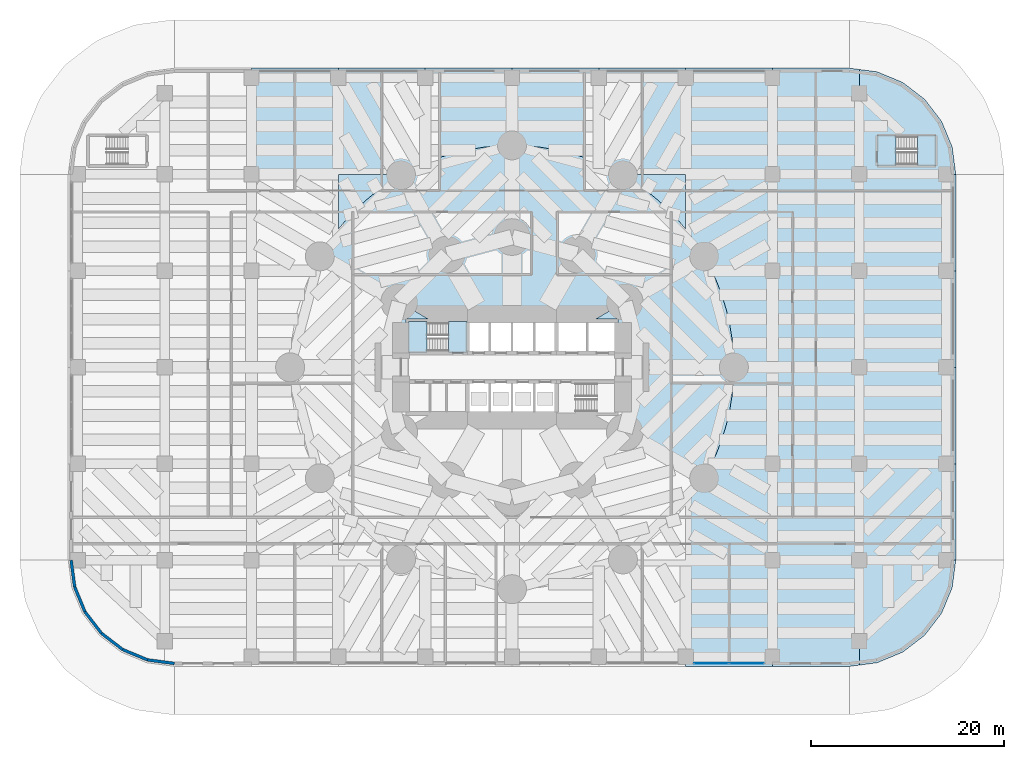
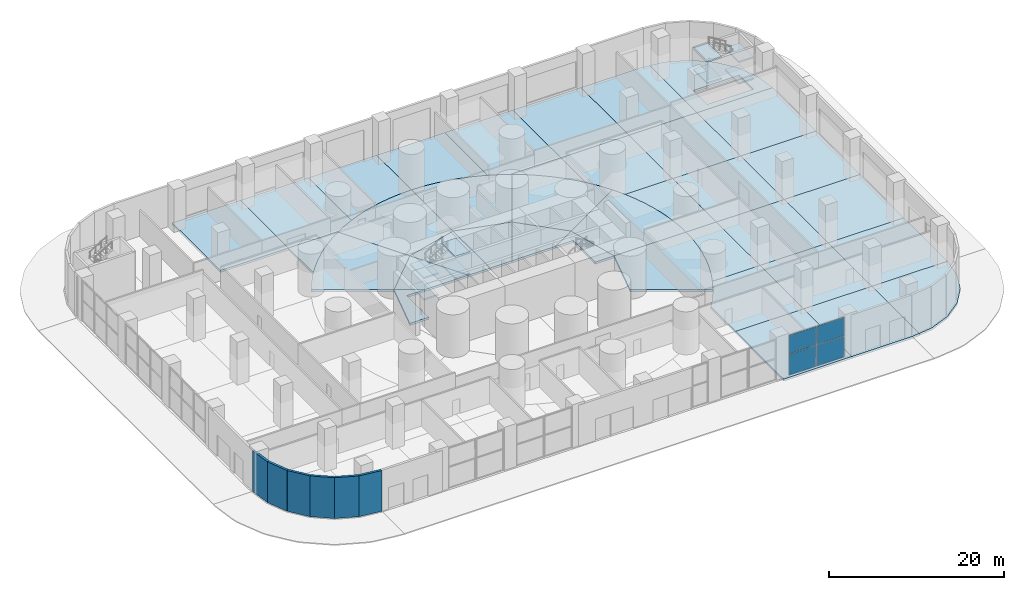
# One storey, part 11 of 20: 45 slabs, 6 walls, 4 plates, 4 elements without a shape of their own.
"""IFC4 building model written with IfcOpenShell, lengths in metres."""

from ifc_helpers import new_model, si_unit, direction, frame, frame_2d, origin, origin_2d, place, context, subcontext, project, spatial, polyline, rectangle, outline, extrude, material, layer, layer_set, type_object, element, aggregate, save


model = new_model("IFC4")

# Units and contexts
model_context = context("Model", 3, precision=1e-05, world=origin(), true_north=direction((0.0, 1.0)))
body_context = subcontext(model_context, "Body", "Model", "MODEL_VIEW")
ifc_project = project(units=[si_unit("LENGTHUNIT", "METRE"), si_unit("AREAUNIT", "SQUARE_METRE"), si_unit("VOLUMEUNIT", "CUBIC_METRE"), si_unit("PLANEANGLEUNIT", "RADIAN"), si_unit("MASSUNIT", "GRAM", prefix="KILO")], contexts=[model_context])

# Site, building, storey
site_placement = place(None, origin())
site = spatial("IfcSite", under=ifc_project, at=site_placement, CompositionType="ELEMENT")
building_placement = place(site_placement, origin())
building = spatial("IfcBuilding", under=site, at=building_placement, Name="Qaws Media Tower", CompositionType="ELEMENT")
storey_placement = place(building_placement, origin())
storey = spatial("IfcBuildingStorey", under=building, at=storey_placement, Name="L00", CompositionType="ELEMENT", Elevation=0.0)

# Curtain wall, plates
ifc_material_1 = material(Name="Aluminium and clear glass", Category="aluminium")
curtain_wall_type = type_object("IfcCurtainWallType", Name="Podium shopfront CW-P", PredefinedType="NOTDEFINED", material=ifc_material_1)
curtain_wall_1_placement = place(storey_placement, origin())
curtain_wall_1 = element("IfcCurtainWall", 1, at=curtain_wall_1_placement, inside=storey, type_object=curtain_wall_type, Name="CWP shopfront L00 S10", PredefinedType="NOTDEFINED")
ifc_material_2 = material(Name="Clear laminated double glazing", Category="glass")
ifc_layer_1 = layer(ifc_material_2, 0.031982421875)
ifc_layer_set_1 = layer_set([ifc_layer_1], Name="Curtain wall glass unit 32")
plate_type = type_object("IfcPlateType", Name="Curtain wall glass unit 32", PredefinedType="CURTAIN_PANEL", material=ifc_layer_set_1)
plate_1_placement = place(storey_placement, frame((80.64990234375, 19.300048828125, 0.080078125), z_axis=(0.0, 0.0, 1.0), x_axis=(1.0, 0.0, 0.0)))
plate_1 = element("IfcPlate", 2, at=plate_1_placement, type_object=plate_type, Name="CWP panel 1.1", PredefinedType="CURTAIN_PANEL", context=body_context, shape_type="SweptSolid", body=[
    extrude(rectangle(XDim=3.5400390625, YDim=0.031982421875, at=origin_2d()), origin(), (0.0, 0.0, 1.0), 2.8798828125),
])
plate_2_placement = place(storey_placement, frame((80.64990234375, 19.300048828125, 3.0400390625), z_axis=(0.0, 0.0, 1.0), x_axis=(1.0, 0.0, 0.0)))
plate_2 = element("IfcPlate", 3, at=plate_2_placement, type_object=plate_type, Name="CWP panel 1.2", PredefinedType="CURTAIN_PANEL", context=body_context, shape_type="SweptSolid", body=[
    extrude(rectangle(XDim=3.5400390625, YDim=0.031982421875, at=origin_2d()), origin(), (0.0, 0.0, 1.0), 2.580078125),
])
aggregate(curtain_wall_1, [plate_1, plate_2])

curtain_wall_2_placement = place(storey_placement, origin())
curtain_wall_2 = element("IfcCurtainWall", 4, at=curtain_wall_2_placement, inside=storey, type_object=curtain_wall_type, Name="CWP shopfront L00 S11", PredefinedType="NOTDEFINED")
plate_3_placement = place(storey_placement, frame((84.35009765625, 19.300048828125, 0.080078125), z_axis=(0.0, 0.0, 1.0), x_axis=(1.0, 0.0, 0.0)))
plate_3 = element("IfcPlate", 5, at=plate_3_placement, type_object=plate_type, Name="CWP panel 1.1", PredefinedType="CURTAIN_PANEL", context=body_context, shape_type="SweptSolid", body=[
    extrude(rectangle(XDim=3.5400390625, YDim=0.031982421875, at=origin_2d()), origin(), (0.0, 0.0, 1.0), 2.8798828125),
])
plate_4_placement = place(storey_placement, frame((84.35009765625, 19.300048828125, 3.0400390625), z_axis=(0.0, 0.0, 1.0), x_axis=(1.0, 0.0, 0.0)))
plate_4 = element("IfcPlate", 6, at=plate_4_placement, type_object=plate_type, Name="CWP panel 1.2", PredefinedType="CURTAIN_PANEL", context=body_context, shape_type="SweptSolid", body=[
    extrude(rectangle(XDim=3.5400390625, YDim=0.031982421875, at=origin_2d()), origin(), (0.0, 0.0, 1.0), 2.580078125),
])
aggregate(curtain_wall_2, [plate_3, plate_4])

# Slabs
ifc_material_3 = material(Name="Concrete C40/50", Category="concrete")
ifc_layer_2 = layer(ifc_material_3, 0.300048828125)
ifc_layer_set_2 = layer_set([ifc_layer_2], Name="Podium slab 300")
slab_type_1 = type_object("IfcSlabType", Name="Podium slab 300", PredefinedType="FLOOR", material=ifc_layer_set_2)
slab_1_placement = place(storey_placement, frame((0.0, 0.0, -0.300048828125)))
element("IfcSlab", 7, at=slab_1_placement, inside=storey, type_object=slab_type_1, Name="S3 slab L00 bay 3-4/F-G", PredefinedType="FLOOR", context=body_context, shape_type="SweptSolid", body=[
    extrude(outline(polyline([(42.0, 81.0), (42.0, 70.0), (33.0, 70.0), (33.0, 81.0), (42.0, 81.0)])), origin(), (0.0, 0.0, 1.0), 0.300048828125),
])
slab_2_placement = place(storey_placement, frame((0.0, 0.0, -0.300048828125)))
element("IfcSlab", 8, at=slab_2_placement, inside=storey, type_object=slab_type_1, Name="S3 slab L00 bay 4-5/E-F", PredefinedType="FLOOR", context=body_context, shape_type="SweptSolid", body=[
    extrude(outline(polyline([(48.5, 69.918701171875), (47.221923828125, 69.123779296875), (45.99853515625, 68.2470703125), (44.8349609375, 67.292236328125), (43.736572265625, 66.263427734375), (42.707763671875, 65.1650390625), (42.0, 64.302490234375), (42.0, 70.0), (48.65234375, 70.0), (48.5, 69.918701171875)])), origin(), (0.0, 0.0, 1.0), 0.300048828125),
])
slab_3_placement = place(storey_placement, frame((0.0, 0.0, -0.300048828125)))
element("IfcSlab", 9, at=slab_3_placement, inside=storey, type_object=slab_type_1, Name="S3 slab L00 bay 4-5/F-G", PredefinedType="FLOOR", context=body_context, shape_type="SweptSolid", body=[
    extrude(outline(polyline([(51.0, 81.0), (51.0, 71.159423828125), (49.827392578125, 70.628173828125), (48.65234375, 70.0), (42.0, 70.0), (42.0, 81.0), (51.0, 81.0)])), origin(), (0.0, 0.0, 1.0), 0.300048828125),
])
slab_4_placement = place(storey_placement, frame((0.0, 0.0, -0.300048828125)))
element("IfcSlab", 10, at=slab_4_placement, inside=storey, type_object=slab_type_1, Name="S3 slab L00 bay 5-6/F-G", PredefinedType="FLOOR", context=body_context, shape_type="SweptSolid", body=[
    extrude(outline(polyline([(60.0, 81.0), (60.0, 73.0), (58.49560546875, 72.95068359375), (56.997802734375, 72.80322265625), (55.512939453125, 72.55810546875), (54.047119140625, 72.21630859375), (52.60693359375, 71.779296875), (51.1982421875, 71.249267578125), (51.0, 71.159423828125), (51.0, 81.0), (60.0, 81.0)])), origin(), (0.0, 0.0, 1.0), 0.300048828125),
])
slab_5_placement = place(storey_placement, frame((0.0, 0.0, -0.300048828125)))
element("IfcSlab", 11, at=slab_5_placement, inside=storey, type_object=slab_type_1, Name="S3 slab L00 bay 6-7/F-G", PredefinedType="FLOOR", context=body_context, shape_type="SweptSolid", body=[
    extrude(outline(polyline([(69.0, 81.0), (69.0, 71.159423828125), (68.8017578125, 71.249267578125), (67.39306640625, 71.779296875), (65.952880859375, 72.21630859375), (64.487060546875, 72.55810546875), (63.002197265625, 72.80322265625), (61.50439453125, 72.95068359375), (60.0, 73.0), (60.0, 81.0), (69.0, 81.0)])), origin(), (0.0, 0.0, 1.0), 0.300048828125),
])
slab_6_placement = place(storey_placement, frame((0.0, 0.0, -0.300048828125)))
element("IfcSlab", 12, at=slab_6_placement, inside=storey, type_object=slab_type_1, Name="S3 slab L00 bay 7-8/E-F", PredefinedType="FLOOR", context=body_context, shape_type="SweptSolid", body=[
    extrude(outline(polyline([(77.292236328125, 65.1650390625), (76.263427734375, 66.263427734375), (75.1650390625, 67.292236328125), (74.00146484375, 68.2470703125), (72.778076171875, 69.123779296875), (71.5, 69.918701171875), (71.34765625, 70.0), (78.0, 70.0), (78.0, 64.302490234375), (77.292236328125, 65.1650390625)])), origin(), (0.0, 0.0, 1.0), 0.300048828125),
])
slab_7_placement = place(storey_placement, frame((0.0, 0.0, -0.300048828125)))
element("IfcSlab", 13, at=slab_7_placement, inside=storey, type_object=slab_type_1, Name="S3 slab L00 bay 7-8/F-G", PredefinedType="FLOOR", context=body_context, shape_type="SweptSolid", body=[
    extrude(outline(polyline([(78.0, 81.0), (78.0, 70.0), (71.34765625, 70.0), (70.172607421875, 70.628173828125), (69.0, 71.159423828125), (69.0, 81.0), (78.0, 81.0)])), origin(), (0.0, 0.0, 1.0), 0.300048828125),
])
slab_8_placement = place(storey_placement, frame((0.0, 0.0, -0.300048828125)))
element("IfcSlab", 14, at=slab_8_placement, inside=storey, type_object=slab_type_1, Name="S3 slab L00 bay 8-9/A-B", PredefinedType="FLOOR", context=body_context, shape_type="SweptSolid", body=[
    extrude(outline(polyline([(78.0, 19.0), (78.0, 30.0), (87.0, 30.0), (87.0, 19.0), (78.0, 19.0)])), origin(), (0.0, 0.0, 1.0), 0.300048828125),
])
slab_9_placement = place(storey_placement, frame((0.0, 0.0, -0.300048828125)))
element("IfcSlab", 15, at=slab_9_placement, inside=storey, type_object=slab_type_1, Name="S3 slab L00 bay 8-9/B-C", PredefinedType="FLOOR", context=body_context, shape_type="SweptSolid", body=[
    extrude(outline(polyline([(78.2470703125, 35.99853515625), (79.123779296875, 37.221923828125), (79.918701171875, 38.5), (80.628173828125, 39.827392578125), (80.706298828125, 40.0), (87.0, 40.0), (87.0, 30.0), (78.0, 30.0), (78.0, 35.697509765625), (78.2470703125, 35.99853515625)])), origin(), (0.0, 0.0, 1.0), 0.300048828125),
])
slab_10_placement = place(storey_placement, frame((0.0, 0.0, -0.300048828125)))
element("IfcSlab", 16, at=slab_10_placement, inside=storey, type_object=slab_type_1, Name="S3 slab L00 bay 8-9/C-D", PredefinedType="FLOOR", context=body_context, shape_type="SweptSolid", body=[
    extrude(outline(polyline([(81.249267578125, 41.1982421875), (81.779296875, 42.60693359375), (82.21630859375, 44.047119140625), (82.55810546875, 45.512939453125), (82.80322265625, 46.997802734375), (82.95068359375, 48.49560546875), (83.0, 50.0), (87.0, 50.0), (87.0, 40.0), (80.706298828125, 40.0), (81.249267578125, 41.1982421875)])), origin(), (0.0, 0.0, 1.0), 0.300048828125),
])
slab_11_placement = place(storey_placement, frame((0.0, 0.0, -0.300048828125)))
element("IfcSlab", 17, at=slab_11_placement, inside=storey, type_object=slab_type_1, Name="S3 slab L00 bay 8-9/D-E", PredefinedType="FLOOR", context=body_context, shape_type="SweptSolid", body=[
    extrude(outline(polyline([(82.21630859375, 55.952880859375), (81.779296875, 57.39306640625), (81.249267578125, 58.8017578125), (80.706298828125, 60.0), (87.0, 60.0), (87.0, 50.0), (83.0, 50.0), (82.95068359375, 51.50439453125), (82.80322265625, 53.002197265625), (82.55810546875, 54.487060546875), (82.21630859375, 55.952880859375)])), origin(), (0.0, 0.0, 1.0), 0.300048828125),
])
slab_12_placement = place(storey_placement, frame((0.0, 0.0, -0.300048828125)))
element("IfcSlab", 18, at=slab_12_placement, inside=storey, type_object=slab_type_1, Name="S3 slab L00 bay 8-9/E-F", PredefinedType="FLOOR", context=body_context, shape_type="SweptSolid", body=[
    extrude(outline(polyline([(80.628173828125, 60.172607421875), (79.918701171875, 61.5), (79.123779296875, 62.778076171875), (78.2470703125, 64.00146484375), (78.0, 64.302490234375), (78.0, 70.0), (87.0, 70.0), (87.0, 60.0), (80.706298828125, 60.0), (80.628173828125, 60.172607421875)])), origin(), (0.0, 0.0, 1.0), 0.300048828125),
])
slab_13_placement = place(storey_placement, frame((0.0, 0.0, -0.300048828125)))
element("IfcSlab", 19, at=slab_13_placement, inside=storey, type_object=slab_type_1, Name="S3 slab L00 bay 8-9/F-G", PredefinedType="FLOOR", context=body_context, shape_type="SweptSolid", body=[
    extrude(outline(polyline([(87.0, 81.0), (87.0, 70.0), (78.0, 70.0), (78.0, 81.0), (87.0, 81.0)])), origin(), (0.0, 0.0, 1.0), 0.300048828125),
])
slab_14_placement = place(storey_placement, frame((0.0, 0.0, -0.300048828125)))
element("IfcSlab", 20, at=slab_14_placement, inside=storey, type_object=slab_type_1, Name="S3 slab L00 bay 9-10/A-B", PredefinedType="FLOOR", context=body_context, shape_type="SweptSolid", body=[
    extrude(outline(polyline([(95.0, 19.0), (87.0, 19.0), (87.0, 30.0), (96.0, 30.0), (96.0, 19.131591796875), (95.0, 19.0)])), origin(), (0.0, 0.0, 1.0), 0.300048828125),
])
slab_15_placement = place(storey_placement, frame((0.0, 0.0, -0.300048828125)))
element("IfcSlab", 21, at=slab_15_placement, inside=storey, type_object=slab_type_1, Name="S3 slab L00 bay 9-10/B-C", PredefinedType="FLOOR", context=body_context, shape_type="SweptSolid", body=[
    extrude(outline(polyline([(87.0, 30.0), (87.0, 40.0), (96.0, 40.0), (96.0, 30.0), (87.0, 30.0)])), origin(), (0.0, 0.0, 1.0), 0.300048828125),
])
slab_16_placement = place(storey_placement, frame((0.0, 0.0, -0.300048828125)))
element("IfcSlab", 22, at=slab_16_placement, inside=storey, type_object=slab_type_1, Name="S3 slab L00 bay 9-10/C-D", PredefinedType="FLOOR", context=body_context, shape_type="SweptSolid", body=[
    extrude(outline(polyline([(87.0, 40.0), (87.0, 50.0), (96.0, 50.0), (96.0, 40.0), (87.0, 40.0)])), origin(), (0.0, 0.0, 1.0), 0.300048828125),
])
slab_17_placement = place(storey_placement, frame((0.0, 0.0, -0.300048828125)))
element("IfcSlab", 23, at=slab_17_placement, inside=storey, type_object=slab_type_1, Name="S3 slab L00 bay 9-10/D-E", PredefinedType="FLOOR", context=body_context, shape_type="SweptSolid", body=[
    extrude(outline(polyline([(87.0, 50.0), (87.0, 60.0), (96.0, 60.0), (96.0, 50.0), (87.0, 50.0)])), origin(), (0.0, 0.0, 1.0), 0.300048828125),
])
slab_18_placement = place(storey_placement, frame((0.0, 0.0, -0.300048828125)))
element("IfcSlab", 24, at=slab_18_placement, inside=storey, type_object=slab_type_1, Name="S3 slab L00 bay 9-10/E-F", PredefinedType="FLOOR", context=body_context, shape_type="SweptSolid", body=[
    extrude(outline(polyline([(87.0, 60.0), (87.0, 70.0), (96.0, 70.0), (96.0, 60.0), (87.0, 60.0)])), origin(), (0.0, 0.0, 1.0), 0.300048828125),
])
slab_19_placement = place(storey_placement, frame((0.0, 0.0, -0.300048828125)))
element("IfcSlab", 25, at=slab_19_placement, inside=storey, type_object=slab_type_1, Name="S3 slab L00 bay 9-10/F-G", PredefinedType="FLOOR", context=body_context, shape_type="SweptSolid", body=[
    extrude(outline(polyline([(95.0, 81.0), (96.0, 80.868408203125), (96.0, 70.0), (87.0, 70.0), (87.0, 81.0), (95.0, 81.0)])), origin(), (0.0, 0.0, 1.0), 0.300048828125),
])
slab_20_placement = place(storey_placement, frame((0.0, 0.0, -0.300048828125)))
element("IfcSlab", 26, at=slab_20_placement, inside=storey, type_object=slab_type_1, Name="S3 slab L00 bay 10-11/A-B", PredefinedType="FLOOR", context=body_context, shape_type="SweptSolid", body=[
    extrude(outline(polyline([(105.625244140625, 27.153076171875), (104.5263671875, 24.5), (102.7783203125, 22.2216796875), (100.5, 20.4736328125), (97.846923828125, 19.374755859375), (96.0, 19.131591796875), (96.0, 30.0), (106.0, 30.0), (105.625244140625, 27.153076171875)])), origin(), (0.0, 0.0, 1.0), 0.300048828125),
])
slab_21_placement = place(storey_placement, frame((0.0, 0.0, -0.300048828125)))
element("IfcSlab", 27, at=slab_21_placement, inside=storey, type_object=slab_type_1, Name="S3 slab L00 bay 10-11/B-C", PredefinedType="FLOOR", context=body_context, shape_type="SweptSolid", body=[
    extrude(outline(polyline([(106.0, 30.0), (96.0, 30.0), (96.0, 40.0), (106.0, 40.0), (106.0, 30.0)])), origin(), (0.0, 0.0, 1.0), 0.300048828125),
])
slab_22_placement = place(storey_placement, frame((0.0, 0.0, -0.300048828125)))
element("IfcSlab", 28, at=slab_22_placement, inside=storey, type_object=slab_type_1, Name="S3 slab L00 bay 10-11/C-D", PredefinedType="FLOOR", context=body_context, shape_type="SweptSolid", body=[
    extrude(outline(polyline([(106.0, 40.0), (96.0, 40.0), (96.0, 50.0), (106.0, 50.0), (106.0, 40.0)])), origin(), (0.0, 0.0, 1.0), 0.300048828125),
])
slab_23_placement = place(storey_placement, frame((0.0, 0.0, -0.300048828125)))
element("IfcSlab", 29, at=slab_23_placement, inside=storey, type_object=slab_type_1, Name="S3 slab L00 bay 10-11/D-E", PredefinedType="FLOOR", context=body_context, shape_type="SweptSolid", body=[
    extrude(outline(polyline([(106.0, 50.0), (96.0, 50.0), (96.0, 60.0), (106.0, 60.0), (106.0, 50.0)])), origin(), (0.0, 0.0, 1.0), 0.300048828125),
])
slab_24_placement = place(storey_placement, frame((0.0, 0.0, -0.300048828125)))
element("IfcSlab", 30, at=slab_24_placement, inside=storey, type_object=slab_type_1, Name="S3 slab L00 bay 10-11/E-F", PredefinedType="FLOOR", context=body_context, shape_type="SweptSolid", body=[
    extrude(outline(polyline([(106.0, 60.0), (96.0, 60.0), (96.0, 70.0), (106.0, 70.0), (106.0, 60.0)])), origin(), (0.0, 0.0, 1.0), 0.300048828125),
])
slab_25_placement = place(storey_placement, frame((0.0, 0.0, -0.300048828125)))
element("IfcSlab", 31, at=slab_25_placement, inside=storey, type_object=slab_type_1, Name="S3 slab L00 bay 10-11/F-G", PredefinedType="FLOOR", context=body_context, shape_type="SweptSolid", body=[
    extrude(outline(polyline([(97.846923828125, 80.625244140625), (100.5, 79.5263671875), (102.7783203125, 77.7783203125), (104.5263671875, 75.5), (105.625244140625, 72.846923828125), (106.0, 70.0), (96.0, 70.0), (96.0, 80.868408203125), (97.846923828125, 80.625244140625)]), holes=[polyline([(97.85009765625, 74.050048828125), (97.85009765625, 70.85009765625), (103.949951171875, 70.85009765625), (103.949951171875, 74.050048828125), (97.85009765625, 74.050048828125)])]), origin(), (0.0, 0.0, 1.0), 0.300048828125),
])
slab_26_placement = place(storey_placement, frame((0.0, 0.0, -0.300048828125)))
element("IfcSlab", 32, at=slab_26_placement, inside=storey, type_object=slab_type_1, Name="S3 slab L00 tower sector R01-R03 outer", PredefinedType="FLOOR", context=body_context, shape_type="SweptSolid", body=[
    extrude(outline(polyline([(82.80322265625, 53.002197265625), (82.95068359375, 51.50439453125), (83.0, 50.0), (73.5, 50.0), (71.69140625, 56.75), (79.918701171875, 61.5), (80.628173828125, 60.172607421875), (81.249267578125, 58.8017578125), (81.779296875, 57.39306640625), (82.21630859375, 55.952880859375), (82.55810546875, 54.487060546875), (82.80322265625, 53.002197265625)])), origin(), (0.0, 0.0, 1.0), 0.300048828125),
])
slab_27_placement = place(storey_placement, frame((0.0, 0.0, -0.300048828125)))
element("IfcSlab", 33, at=slab_27_placement, inside=storey, type_object=slab_type_1, Name="S3 slab L00 tower sector R01-R03 inner", PredefinedType="FLOOR", context=body_context, shape_type="SweptSolid", body=[
    extrude(outline(polyline([(71.0, 50.0), (71.0, 55.0), (68.660400390625, 55.0), (71.69140625, 56.75), (73.5, 50.0), (71.0, 50.0)])), origin(), (0.0, 0.0, 1.0), 0.300048828125),
])
slab_28_placement = place(storey_placement, frame((0.0, 0.0, -0.300048828125)))
element("IfcSlab", 34, at=slab_28_placement, inside=storey, type_object=slab_type_1, Name="S3 slab L00 tower sector R03-R05 outer", PredefinedType="FLOOR", context=body_context, shape_type="SweptSolid", body=[
    extrude(outline(polyline([(78.2470703125, 64.00146484375), (79.123779296875, 62.778076171875), (79.918701171875, 61.5), (71.69140625, 56.75), (66.75, 61.69140625), (71.5, 69.918701171875), (72.778076171875, 69.123779296875), (74.00146484375, 68.2470703125), (75.1650390625, 67.292236328125), (76.263427734375, 66.263427734375), (77.292236328125, 65.1650390625), (78.2470703125, 64.00146484375)])), origin(), (0.0, 0.0, 1.0), 0.300048828125),
])
slab_29_placement = place(storey_placement, frame((0.0, 0.0, -0.300048828125)))
element("IfcSlab", 35, at=slab_29_placement, inside=storey, type_object=slab_type_1, Name="S3 slab L00 tower sector R03-R05 inner", PredefinedType="FLOOR", context=body_context, shape_type="SweptSolid", body=[
    extrude(outline(polyline([(68.660400390625, 55.0), (62.88671875, 55.0), (66.75, 61.69140625), (71.69140625, 56.75), (68.660400390625, 55.0)])), origin(), (0.0, 0.0, 1.0), 0.300048828125),
])
slab_30_placement = place(storey_placement, frame((0.0, 0.0, -0.300048828125)))
element("IfcSlab", 36, at=slab_30_placement, inside=storey, type_object=slab_type_1, Name="S3 slab L00 tower sector R05-R07 outer", PredefinedType="FLOOR", context=body_context, shape_type="SweptSolid", body=[
    extrude(outline(polyline([(68.8017578125, 71.249267578125), (70.172607421875, 70.628173828125), (71.5, 69.918701171875), (66.75, 61.69140625), (60.0, 63.5), (60.0, 73.0), (61.50439453125, 72.95068359375), (63.002197265625, 72.80322265625), (64.487060546875, 72.55810546875), (65.952880859375, 72.21630859375), (67.39306640625, 71.779296875), (68.8017578125, 71.249267578125)])), origin(), (0.0, 0.0, 1.0), 0.300048828125),
])
slab_31_placement = place(storey_placement, frame((0.0, 0.0, -0.300048828125)))
element("IfcSlab", 37, at=slab_31_placement, inside=storey, type_object=slab_type_1, Name="S3 slab L00 tower sector R05-R07 inner", PredefinedType="FLOOR", context=body_context, shape_type="SweptSolid", body=[
    extrude(outline(polyline([(62.88671875, 55.0), (60.0, 55.0), (60.0, 63.5), (66.75, 61.69140625), (62.88671875, 55.0)])), origin(), (0.0, 0.0, 1.0), 0.300048828125),
])
slab_32_placement = place(storey_placement, frame((0.0, 0.0, -0.300048828125)))
element("IfcSlab", 38, at=slab_32_placement, inside=storey, type_object=slab_type_1, Name="S3 slab L00 tower sector R07-R09 outer", PredefinedType="FLOOR", context=body_context, shape_type="SweptSolid", body=[
    extrude(outline(polyline([(56.997802734375, 72.80322265625), (58.49560546875, 72.95068359375), (60.0, 73.0), (60.0, 63.5), (53.25, 61.69140625), (48.5, 69.918701171875), (49.827392578125, 70.628173828125), (51.1982421875, 71.249267578125), (52.60693359375, 71.779296875), (54.047119140625, 72.21630859375), (55.512939453125, 72.55810546875), (56.997802734375, 72.80322265625)])), origin(), (0.0, 0.0, 1.0), 0.300048828125),
])
slab_33_placement = place(storey_placement, frame((0.0, 0.0, -0.300048828125)))
element("IfcSlab", 39, at=slab_33_placement, inside=storey, type_object=slab_type_1, Name="S3 slab L00 tower sector R07-R09 inner", PredefinedType="FLOOR", context=body_context, shape_type="SweptSolid", body=[
    extrude(outline(polyline([(60.0, 55.0), (57.11328125, 55.0), (53.25, 61.69140625), (60.0, 63.5), (60.0, 55.0)])), origin(), (0.0, 0.0, 1.0), 0.300048828125),
])
slab_34_placement = place(storey_placement, frame((0.0, 0.0, -0.300048828125)))
element("IfcSlab", 40, at=slab_34_placement, inside=storey, type_object=slab_type_1, Name="S3 slab L00 tower sector R09-R11 outer", PredefinedType="FLOOR", context=body_context, shape_type="SweptSolid", body=[
    extrude(outline(polyline([(45.99853515625, 68.2470703125), (47.221923828125, 69.123779296875), (48.5, 69.918701171875), (53.25, 61.69140625), (48.30859375, 56.75), (40.081298828125, 61.5), (40.876220703125, 62.778076171875), (41.7529296875, 64.00146484375), (42.707763671875, 65.1650390625), (43.736572265625, 66.263427734375), (44.8349609375, 67.292236328125), (45.99853515625, 68.2470703125)])), origin(), (0.0, 0.0, 1.0), 0.300048828125),
])
slab_35_placement = place(storey_placement, frame((0.0, 0.0, -0.300048828125)))
element("IfcSlab", 41, at=slab_35_placement, inside=storey, type_object=slab_type_1, Name="S3 slab L00 tower sector R09-R11 inner", PredefinedType="FLOOR", context=body_context, shape_type="SweptSolid", body=[
    extrude(outline(polyline([(57.11328125, 55.0), (51.339599609375, 55.0), (48.30859375, 56.75), (53.25, 61.69140625), (57.11328125, 55.0)])), origin(), (0.0, 0.0, 1.0), 0.300048828125),
])
slab_36_placement = place(storey_placement, frame((0.0, 0.0, -0.300048828125)))
element("IfcSlab", 42, at=slab_36_placement, inside=storey, type_object=slab_type_1, Name="S3 slab L00 tower sector R11-R13 inner", PredefinedType="FLOOR", context=body_context, shape_type="SweptSolid", body=[
    extrude(outline(polyline([(51.339599609375, 55.0), (49.0, 55.0), (49.0, 50.0), (46.5, 50.0), (48.30859375, 56.75), (51.339599609375, 55.0)])), origin(), (0.0, 0.0, 1.0), 0.300048828125),
])
slab_37_placement = place(storey_placement, frame((0.0, 0.0, -0.300048828125)))
element("IfcSlab", 43, at=slab_37_placement, inside=storey, type_object=slab_type_1, Name="S3 slab L00 tower sector R23-R01 outer", PredefinedType="FLOOR", context=body_context, shape_type="SweptSolid", body=[
    extrude(outline(polyline([(81.249267578125, 41.1982421875), (80.628173828125, 39.827392578125), (79.918701171875, 38.5), (71.69140625, 43.25), (73.5, 50.0), (83.0, 50.0), (82.95068359375, 48.49560546875), (82.80322265625, 46.997802734375), (82.55810546875, 45.512939453125), (82.21630859375, 44.047119140625), (81.779296875, 42.60693359375), (81.249267578125, 41.1982421875)])), origin(), (0.0, 0.0, 1.0), 0.300048828125),
])

# Stair, slabs
ifc_material_4 = material(Name="Concrete C40/50", Category="concrete")
stair_type = type_object("IfcStairType", Name="Exit stair", PredefinedType="HALF_TURN_STAIR", material=ifc_material_4)
stair_1_placement = place(storey_placement, origin())
stair_1 = element("IfcStair", 44, at=stair_1_placement, inside=storey, type_object=stair_type, Name="S1 exit stair L00", PredefinedType="HALF_TURN_STAIR")
ifc_material_5 = material(Name="Concrete C40/50", Category="concrete")
ifc_layer_3 = layer(ifc_material_5, 0.199951171875)
ifc_layer_set_3 = layer_set([ifc_layer_3], Name="Stair landing 200")
slab_type_2 = type_object("IfcSlabType", Name="Stair landing 200", PredefinedType="LANDING", material=ifc_layer_set_3)
slab_38_placement = place(storey_placement, frame((0.0, 0.0, 1.300048828125)))
slab_38 = element("IfcSlab", 45, at=slab_38_placement, type_object=slab_type_2, Name="S1 landing 1", PredefinedType="LANDING", context=body_context, shape_type="SweptSolid", body=[
    extrude(outline(polyline([(49.25, 51.550048828125), (51.179931640625, 51.550048828125), (51.179931640625, 54.75), (49.25, 54.75), (49.25, 51.550048828125)])), origin(), (0.0, 0.0, 1.0), 0.199951171875),
])
slab_39_placement = place(storey_placement, frame((0.0, 0.0, 2.800048828125)))
slab_39 = element("IfcSlab", 46, at=slab_39_placement, type_object=slab_type_2, Name="S1 landing 2", PredefinedType="LANDING", context=body_context, shape_type="SweptSolid", body=[
    extrude(outline(polyline([(53.419921875, 51.550048828125), (55.35009765625, 51.550048828125), (55.35009765625, 54.75), (53.419921875, 54.75), (53.419921875, 51.550048828125)])), origin(), (0.0, 0.0, 1.0), 0.199951171875),
])
slab_40_placement = place(storey_placement, frame((0.0, 0.0, 4.300048828125)))
slab_40 = element("IfcSlab", 47, at=slab_40_placement, type_object=slab_type_2, Name="S1 landing 3", PredefinedType="LANDING", context=body_context, shape_type="SweptSolid", body=[
    extrude(outline(polyline([(49.25, 51.550048828125), (51.179931640625, 51.550048828125), (51.179931640625, 54.75), (49.25, 54.75), (49.25, 51.550048828125)])), origin(), (0.0, 0.0, 1.0), 0.199951171875),
])
slab_41_placement = place(storey_placement, frame((0.0, 0.0, 5.800048828125)))
slab_41 = element("IfcSlab", 48, at=slab_41_placement, type_object=slab_type_2, Name="S1 landing 4", PredefinedType="LANDING", context=body_context, shape_type="SweptSolid", body=[
    extrude(outline(polyline([(53.419921875, 51.550048828125), (55.35009765625, 51.550048828125), (55.35009765625, 54.75), (53.419921875, 54.75), (53.419921875, 51.550048828125)])), origin(), (0.0, 0.0, 1.0), 0.199951171875),
])
aggregate(stair_1, [slab_38, slab_39, slab_40, slab_41])

stair_2_placement = place(storey_placement, origin())
stair_2 = element("IfcStair", 49, at=stair_2_placement, inside=storey, type_object=stair_type, Name="S4 exit stair L00", PredefinedType="HALF_TURN_STAIR")
slab_42_placement = place(storey_placement, frame((0.0, 0.0, 1.300048828125)))
slab_42 = element("IfcSlab", 50, at=slab_42_placement, type_object=slab_type_2, Name="S4 landing 1", PredefinedType="LANDING", context=body_context, shape_type="SweptSolid", body=[
    extrude(outline(polyline([(102.02001953125, 70.85009765625), (103.949951171875, 70.85009765625), (103.949951171875, 74.050048828125), (102.02001953125, 74.050048828125), (102.02001953125, 70.85009765625)])), origin(), (0.0, 0.0, 1.0), 0.199951171875),
])
slab_43_placement = place(storey_placement, frame((0.0, 0.0, 2.800048828125)))
slab_43 = element("IfcSlab", 51, at=slab_43_placement, type_object=slab_type_2, Name="S4 landing 2", PredefinedType="LANDING", context=body_context, shape_type="SweptSolid", body=[
    extrude(outline(polyline([(97.85009765625, 70.85009765625), (99.780029296875, 70.85009765625), (99.780029296875, 74.050048828125), (97.85009765625, 74.050048828125), (97.85009765625, 70.85009765625)])), origin(), (0.0, 0.0, 1.0), 0.199951171875),
])
slab_44_placement = place(storey_placement, frame((0.0, 0.0, 4.300048828125)))
slab_44 = element("IfcSlab", 52, at=slab_44_placement, type_object=slab_type_2, Name="S4 landing 3", PredefinedType="LANDING", context=body_context, shape_type="SweptSolid", body=[
    extrude(outline(polyline([(102.02001953125, 70.85009765625), (103.949951171875, 70.85009765625), (103.949951171875, 74.050048828125), (102.02001953125, 74.050048828125), (102.02001953125, 70.85009765625)])), origin(), (0.0, 0.0, 1.0), 0.199951171875),
])
slab_45_placement = place(storey_placement, frame((0.0, 0.0, 5.800048828125)))
slab_45 = element("IfcSlab", 53, at=slab_45_placement, type_object=slab_type_2, Name="S4 landing 4", PredefinedType="LANDING", context=body_context, shape_type="SweptSolid", body=[
    extrude(outline(polyline([(97.85009765625, 70.85009765625), (99.780029296875, 70.85009765625), (99.780029296875, 74.050048828125), (97.85009765625, 74.050048828125), (97.85009765625, 70.85009765625)])), origin(), (0.0, 0.0, 1.0), 0.199951171875),
])
aggregate(stair_2, [slab_42, slab_43, slab_44, slab_45])

# Walls
ifc_material_6 = material(Name="Precast concrete, exposed finish", Category="concrete")
ifc_layer_4 = layer(ifc_material_6, 0.300048828125)
ifc_layer_set_4 = layer_set([ifc_layer_4], Name="Podium facade wall 300")
wall_type = type_object("IfcWallType", Name="Podium facade wall 300", PredefinedType="SOLIDWALL", material=ifc_layer_set_4)
wall_1_placement = place(storey_placement, frame((14.300048828125, 30.0, 0.0), z_axis=(0.0, 0.0, 1.0), x_axis=(0.130497471798, -0.991448642066, 0.0)))
element("IfcWall", 54, at=wall_1_placement, inside=storey, type_object=wall_type, Name="W763 EW2 podium wall L00-22", PredefinedType="SOLIDWALL", context=body_context, shape_type="SweptSolid", body=[
    extrude(rectangle(XDim=2.793212890625, YDim=0.300048828125, at=frame_2d((1.396484375, 0.0))), origin(), (0.0, 0.0, 1.0), 5.699951171875),
])
wall_2_placement = place(storey_placement, frame((14.66455078125, 27.230712890625, 0.0), z_axis=(0.0, 0.0, 1.0), x_axis=(0.382709424419, -0.923868765822, 0.0)))
element("IfcWall", 55, at=wall_2_placement, inside=storey, type_object=wall_type, Name="W765 EW2 podium wall L00-23", PredefinedType="SOLIDWALL", context=body_context, shape_type="SweptSolid", body=[
    extrude(rectangle(XDim=2.79345703125, YDim=0.300048828125, at=frame_2d((1.396728515625, 0.0))), origin(), (0.0, 0.0, 1.0), 5.699951171875),
])
for number, where, z_axis, x_axis, name in (
    (56, (15.733642578125, 24.64990234375, 0.0), (0.0, 0.0, 1.0), (0.608704923183, -0.793396695539, 0.0), "W767 EW2 podium wall L00-24"),
    (57, (17.433837890625, 22.433837890625, 0.0), (0.0, 0.0, 1.0), (0.793396695539, -0.608704923183, 0.0), "W769 EW2 podium wall L00-25"),
):
    element("IfcWall", number, at=place(storey_placement, frame(where, z_axis=z_axis, x_axis=x_axis)), inside=storey, type_object=wall_type, Name=name, PredefinedType="SOLIDWALL", context=body_context, shape_type="SweptSolid", body=[
        extrude(rectangle(XDim=2.793212890625, YDim=0.300048828125, at=frame_2d((1.396484375, 0.0))), origin(), (0.0, 0.0, 1.0), 5.699951171875),
    ])
wall_3_placement = place(storey_placement, frame((19.64990234375, 20.733642578125, 0.0), z_axis=(0.0, 0.0, 1.0), x_axis=(0.923868765822, -0.382709424419, 0.0)))
element("IfcWall", 58, at=wall_3_placement, inside=storey, type_object=wall_type, Name="W771 EW2 podium wall L00-26", PredefinedType="SOLIDWALL", context=body_context, shape_type="SweptSolid", body=[
    extrude(rectangle(XDim=2.79345703125, YDim=0.300048828125, at=frame_2d((1.396728515625, 0.0))), origin(), (0.0, 0.0, 1.0), 5.699951171875),
])
wall_4_placement = place(storey_placement, frame((22.230712890625, 19.66455078125, 0.0), z_axis=(0.0, 0.0, 1.0), x_axis=(0.991448642066, -0.130497471798, 0.0)))
element("IfcWall", 59, at=wall_4_placement, inside=storey, type_object=wall_type, Name="W773 EW2 podium wall L00-27", PredefinedType="SOLIDWALL", context=body_context, shape_type="SweptSolid", body=[
    extrude(rectangle(XDim=2.793212890625, YDim=0.300048828125, at=frame_2d((1.396484375, 0.0))), origin(), (0.0, 0.0, 1.0), 5.699951171875),
])

save(model, "model.ifc")
